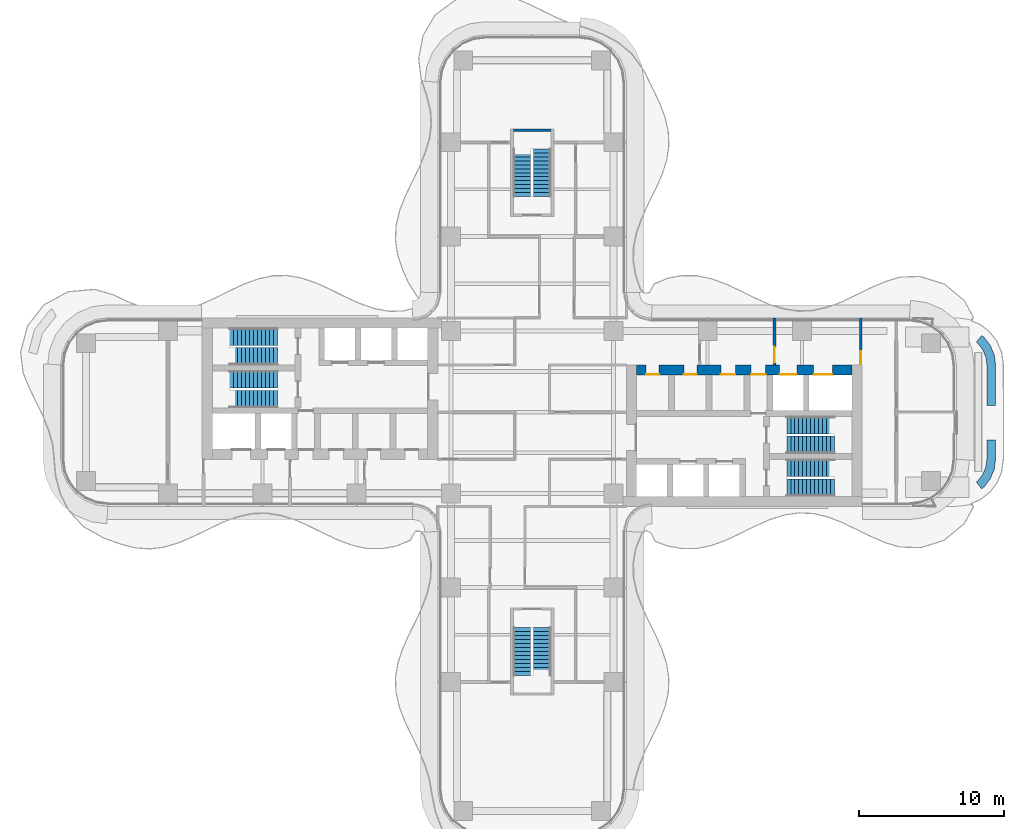
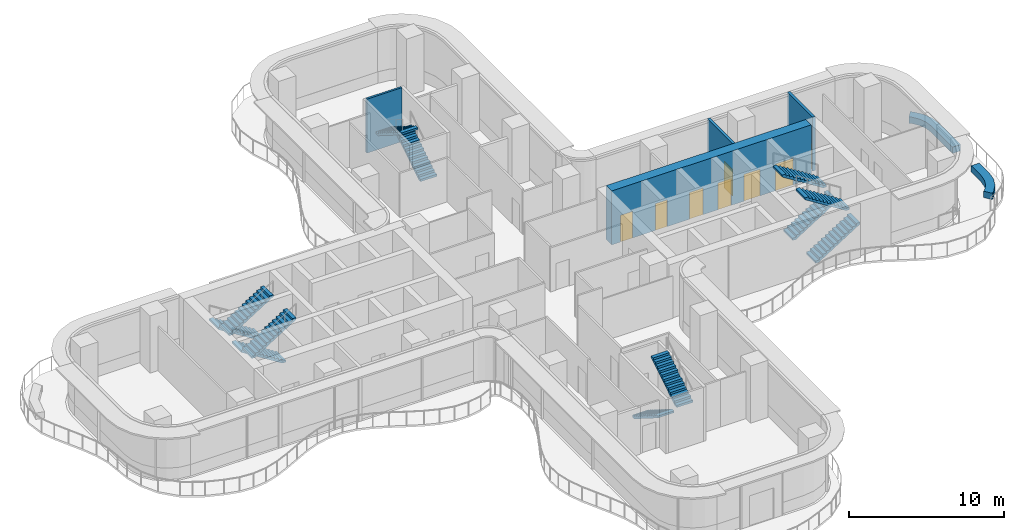
# One storey, part 19 of 21: 12 stair flights, 8 doors, 6 walls, 8 openings, 6 elements without a shape of their own.
"""IFC4 building model written with IfcOpenShell, lengths in metres."""

from ifc_helpers import new_model, si_unit, direction, frame, frame_2d, origin, place, context, subcontext, project, spatial, polyline, rectangle, outline, extrude, source, transform, mapped, material, layer, layer_set, type_object, element, fill, aggregate, save


model = new_model("IFC4")

# Units and contexts
model_context = context("Model", 3, precision=1e-05, world=origin(), true_north=direction((0.0, 1.0)))
body_context = subcontext(model_context, "Body", "Model", "MODEL_VIEW")
ifc_project = project(units=[si_unit("LENGTHUNIT", "METRE"), si_unit("AREAUNIT", "SQUARE_METRE"), si_unit("VOLUMEUNIT", "CUBIC_METRE"), si_unit("PLANEANGLEUNIT", "RADIAN"), si_unit("MASSUNIT", "GRAM", prefix="KILO")], contexts=[model_context])

# Site, building, storey
site_placement = place(None, origin())
site = spatial("IfcSite", under=ifc_project, at=site_placement, CompositionType="ELEMENT")
building_placement = place(site_placement, origin())
building = spatial("IfcBuilding", under=site, at=building_placement, Name="Trellis Farm Tower", CompositionType="ELEMENT")
storey_placement = place(building_placement, frame((0.0, 0.0, 97.5)))
storey = spatial("IfcBuildingStorey", under=building, at=storey_placement, Name="L20", CompositionType="ELEMENT", Elevation=97.5)

# Walls
ifc_material_1 = material(Name="Sandstone faced masonry planter", Category="masonry")
ifc_layer_1 = layer(ifc_material_1, 0.60009765625)
ifc_layer_set_1 = layer_set([ifc_layer_1], Name="PLANTER BED 600")
wall_type_1 = type_object("IfcWallType", Name="PLANTER BED 600", PredefinedType="USERDEFINED", material=ifc_layer_set_1)
placement = place(storey_placement, origin())
element("IfcWall", 1, at=placement, inside=storey, type_object=wall_type_1, Name="PLANTER bed", ObjectType="PLANTER", PredefinedType="USERDEFINED", context=body_context, shape_type="SweptSolid", body=[
    extrude(outline(polyline([(31.15576171875, 5.15576171875), (31.584228515625, 4.59765625), (31.853515625, 3.947509765625), (31.949951171875, 3.214111328125), (31.949951171875, 0.469970703125), (31.35009765625, 0.469970703125), (31.35009765625, 3.174560546875), (31.268798828125, 3.791015625), (31.06005859375, 4.294921875), (30.727783203125, 4.727783203125), (30.614990234375, 4.814697265625), (30.980224609375, 5.29052734375), (31.15576171875, 5.15576171875)])), origin(), (0.0, 0.0, 1.0), 0.5),
])
element("IfcWall", 2, at=placement, inside=storey, type_object=wall_type_1, Name="PLANTER bed", ObjectType="PLANTER", PredefinedType="USERDEFINED", context=body_context, shape_type="SweptSolid", body=[
    extrude(outline(polyline([(31.853515625, -3.947509765625), (31.584228515625, -4.59765625), (31.15576171875, -5.15576171875), (30.980224609375, -5.29052734375), (30.614990234375, -4.814697265625), (30.727783203125, -4.727783203125), (31.06005859375, -4.294921875), (31.268798828125, -3.791015625), (31.35009765625, -3.174560546875), (31.35009765625, -1.929931640625), (31.949951171875, -1.929931640625), (31.949951171875, -3.214111328125), (31.853515625, -3.947509765625)])), origin(), (0.0, 0.0, 1.0), 0.5),
])

# Wall, opening, door
ifc_material_2 = material(Name="Masonry blockwork", Category="masonry")
ifc_layer_2 = layer(ifc_material_2, 0.199951171875)
ifc_layer_set_2 = layer_set([ifc_layer_2], Name="FIRE LOBBY PARTITION 200 BLOCKWORK")
wall_type_2 = type_object("IfcWallType", Name="FIRE LOBBY PARTITION 200 BLOCKWORK", PredefinedType="PARTITIONING", material=ifc_layer_set_2)
shared_shape_1 = source(origin(), body_context, "Body", "SweptSolid", [
    extrude(rectangle(XDim=3.25, YDim=0.199951171875, at=frame_2d((1.625, 0.0))), origin(), (0.0, 0.0, 1.0), 4.25),
])
wall_3_placement = place(storey_placement, frame((16.699951171875, 3.25, 0.0), z_axis=(0.0, 0.0, 1.0), x_axis=(0.0, 1.0, 0.0)))
wall_3 = element("IfcWall", 3, at=wall_3_placement, inside=storey, type_object=wall_type_2, Name="Fire-fighting lobby partition", PredefinedType="PARTITIONING", context=body_context, shape_type="MappedRepresentation", body=[
    mapped(shared_shape_1, transform((0.0, 0.0, 0.0))),
])
shared_shape_2 = source(origin(), body_context, "Body", "SweptSolid", [
    extrude(rectangle(XDim=1.10009765625, YDim=2.10009765625, at=frame_2d((0.550048828125, 1.050048828125))), frame((0.0, 0.110107421875, 0.0), z_axis=(0.0, -1.0, 0.0), x_axis=(1.0, 0.0, 0.0)), (0.0, 0.0, 1.0), 0.22021484375),
])
opening_1_placement = place(wall_3_placement, frame((0.14990234375, 0.0, 0.0)))
opening_1 = element("IfcOpeningElement", 4, at=opening_1_placement, cuts=wall_3, Name="Opening DC7", PredefinedType="OPENING", context=body_context, shape_type="MappedRepresentation", body=[
    mapped(shared_shape_2, transform((0.0, 0.0, 0.0))),
])
ifc_material_3 = material(Name="Steel", Category="steel")
door_type_1 = type_object("IfcDoorType", Name="CORE FIRE DOOR 1100 X 2100", OperationType="NOTDEFINED", PredefinedType="DOOR", material=ifc_material_3)
shared_shape_3 = source(origin(), body_context, "Body", "SweptSolid", [
    extrude(rectangle(XDim=1.10009765625, YDim=2.10009765625, at=frame_2d((0.550048828125, 1.050048828125))), frame((0.0, 0.02490234375, 0.0), z_axis=(0.0, -1.0, 0.0), x_axis=(1.0, 0.0, 0.0)), (0.0, 0.0, 1.0), 0.050048828125),
])
door_1_placement = place(opening_1_placement, origin())
door_1 = element("IfcDoor", 5, at=door_1_placement, inside=storey, type_object=door_type_1, Name="Core door", OperationType="SINGLE_SWING_RIGHT", OverallHeight=2.10009765625, OverallWidth=1.10009765625, PredefinedType="DOOR", context=body_context, shape_type="MappedRepresentation", body=[
    mapped(shared_shape_3, transform((0.0, 0.0, 0.0))),
])
fill(opening_1, door_1)

wall_4_placement = place(storey_placement, frame((22.64990234375, 3.25, 0.0), z_axis=(0.0, 0.0, 1.0), x_axis=(0.0, 1.0, 0.0)))
wall_4 = element("IfcWall", 6, at=wall_4_placement, inside=storey, type_object=wall_type_2, Name="Fire-fighting lobby partition", PredefinedType="PARTITIONING", context=body_context, shape_type="MappedRepresentation", body=[
    mapped(shared_shape_1, transform((0.0, 0.0, 0.0))),
])
shared_shape_4 = source(origin(), body_context, "Body", "SweptSolid", [
    extrude(rectangle(XDim=0.89990234375, YDim=2.10009765625, at=frame_2d((0.449951171875, 1.050048828125))), frame((0.0, 0.110107421875, 0.0), z_axis=(0.0, -1.0, 0.0), x_axis=(1.0, 0.0, 0.0)), (0.0, 0.0, 1.0), 0.22021484375),
])
opening_2_placement = place(wall_4_placement, frame((0.050048828125, 0.0, 0.0)))
opening_2 = element("IfcOpeningElement", 7, at=opening_2_placement, cuts=wall_4, Name="Opening DC8", PredefinedType="OPENING", context=body_context, shape_type="MappedRepresentation", body=[
    mapped(shared_shape_4, transform((0.0, 0.0, 0.0))),
])
door_type_2 = type_object("IfcDoorType", Name="CORE FIRE DOOR 900 X 2100", OperationType="NOTDEFINED", PredefinedType="DOOR", material=ifc_material_3)
shared_shape_5 = source(origin(), body_context, "Body", "SweptSolid", [
    extrude(rectangle(XDim=0.89990234375, YDim=2.10009765625, at=frame_2d((0.449951171875, 1.050048828125))), frame((0.0, 0.02490234375, 0.0), z_axis=(0.0, -1.0, 0.0), x_axis=(1.0, 0.0, 0.0)), (0.0, 0.0, 1.0), 0.050048828125),
])
door_2_placement = place(opening_2_placement, origin())
door_2 = element("IfcDoor", 8, at=door_2_placement, inside=storey, type_object=door_type_2, Name="Core door", OperationType="SINGLE_SWING_RIGHT", OverallHeight=2.10009765625, OverallWidth=0.89990234375, PredefinedType="DOOR", context=body_context, shape_type="MappedRepresentation", body=[
    mapped(shared_shape_5, transform((0.0, 0.0, 0.0))),
])
fill(opening_2, door_2)

# Wall, openings, doors
ifc_material_4 = material(Name="Concrete C70/85", Category="concrete")
ifc_layer_3 = layer(ifc_material_4, 0.699951171875)
ifc_layer_set_3 = layer_set([ifc_layer_3], Name="CORE OUTER WALL 700 CONCRETE C70/85")
wall_type_3 = type_object("IfcWallType", Name="CORE OUTER WALL 700 CONCRETE C70/85", PredefinedType="SHEAR", material=ifc_layer_set_3)
shared_shape_6 = source(origin(), body_context, "Body", "SweptSolid", [
    extrude(rectangle(XDim=14.85009765625, YDim=0.699951171875, at=frame_2d((7.425048828125, 0.0))), origin(), (0.0, 0.0, 1.0), 4.25),
])
wall_5_placement = place(storey_placement, frame((7.199951171875, 2.89990234375, 0.0), z_axis=(0.0, 0.0, 1.0), x_axis=(1.0, 0.0, 0.0)))
wall_5 = element("IfcWall", 9, at=wall_5_placement, inside=storey, type_object=wall_type_3, Name="Core wall", PredefinedType="SHEAR", context=body_context, shape_type="MappedRepresentation", body=[
    mapped(shared_shape_6, transform((0.0, 0.0, 0.0))),
])
shared_shape_7 = source(origin(), body_context, "Body", "SweptSolid", [
    extrude(rectangle(XDim=1.300048828125, YDim=2.10009765625, at=frame_2d((0.64990234375, 1.050048828125))), frame((0.0, 0.360107421875, 0.0), z_axis=(0.0, -1.0, 0.0), x_axis=(1.0, 0.0, 0.0)), (0.0, 0.0, 1.0), 0.72021484375),
])
opening_3_placement = place(wall_5_placement, frame((12.199951171875, 0.0, 0.0)))
opening_3 = element("IfcOpeningElement", 10, at=opening_3_placement, cuts=wall_5, Name="Opening LD7", PredefinedType="OPENING", context=body_context, shape_type="MappedRepresentation", body=[
    mapped(shared_shape_7, transform((0.0, 0.0, 0.0))),
])
shared_shape_8 = source(origin(), body_context, "Body", "SweptSolid", [
    extrude(rectangle(XDim=1.199951171875, YDim=2.10009765625, at=frame_2d((0.60009765625, 1.050048828125))), frame((0.0, 0.360107421875, 0.0), z_axis=(0.0, -1.0, 0.0), x_axis=(1.0, 0.0, 0.0)), (0.0, 0.0, 1.0), 0.72021484375),
])
opening_4_placement = place(wall_5_placement, frame((9.85009765625, 0.0, 0.0)))
opening_4 = element("IfcOpeningElement", 11, at=opening_4_placement, cuts=wall_5, Name="Opening LD8", PredefinedType="OPENING", context=body_context, shape_type="MappedRepresentation", body=[
    mapped(shared_shape_8, transform((0.0, 0.0, 0.0))),
])
shared_shape_9 = source(origin(), body_context, "Body", "SweptSolid", [
    extrude(rectangle(XDim=1.0, YDim=2.10009765625, at=frame_2d((0.5, 1.050048828125))), frame((0.0, 0.360107421875, 0.0), z_axis=(0.0, -1.0, 0.0), x_axis=(1.0, 0.0, 0.0)), (0.0, 0.0, 1.0), 0.72021484375),
])
opening_5_placement = place(wall_5_placement, frame((7.89990234375, 0.0, 0.0)))
opening_5 = element("IfcOpeningElement", 12, at=opening_5_placement, cuts=wall_5, Name="Opening DC6", PredefinedType="OPENING", context=body_context, shape_type="MappedRepresentation", body=[
    mapped(shared_shape_9, transform((0.0, 0.0, 0.0))),
])
shared_shape_10 = source(origin(), body_context, "Body", "SweptSolid", [
    extrude(rectangle(XDim=0.89990234375, YDim=2.10009765625, at=frame_2d((0.449951171875, 1.050048828125))), frame((0.0, 0.360107421875, 0.0), z_axis=(0.0, -1.0, 0.0), x_axis=(1.0, 0.0, 0.0)), (0.0, 0.0, 1.0), 0.72021484375),
])
opening_6_placement = place(wall_5_placement, frame((0.64990234375, 0.0, 0.0)))
opening_6 = element("IfcOpeningElement", 13, at=opening_6_placement, cuts=wall_5, Name="Opening DC11", PredefinedType="OPENING", context=body_context, shape_type="MappedRepresentation", body=[
    mapped(shared_shape_10, transform((0.0, 0.0, 0.0))),
])
opening_7_placement = place(wall_5_placement, frame((3.25, 0.0, 0.0)))
opening_7 = element("IfcOpeningElement", 14, at=opening_7_placement, cuts=wall_5, Name="Opening DC24", PredefinedType="OPENING", context=body_context, shape_type="MappedRepresentation", body=[
    mapped(shared_shape_10, transform((0.0, 0.0, 0.0))),
])
opening_8_placement = place(wall_5_placement, frame((5.800048828125, 0.0, 0.0)))
opening_8 = element("IfcOpeningElement", 15, at=opening_8_placement, cuts=wall_5, Name="Opening DC37", PredefinedType="OPENING", context=body_context, shape_type="MappedRepresentation", body=[
    mapped(shared_shape_9, transform((0.0, 0.0, 0.0))),
])
door_type_3 = type_object("IfcDoorType", Name="CORE FIRE DOOR 1000 X 2100", OperationType="NOTDEFINED", PredefinedType="DOOR", material=ifc_material_3)
shared_shape_11 = source(origin(), body_context, "Body", "SweptSolid", [
    extrude(rectangle(XDim=1.0, YDim=2.10009765625, at=frame_2d((0.5, 1.050048828125))), frame((0.0, -0.27490234375, 0.0), z_axis=(0.0, -1.0, 0.0), x_axis=(1.0, 0.0, 0.0)), (0.0, 0.0, 1.0), 0.050048828125),
])
door_3_placement = place(opening_5_placement, origin())
door_3 = element("IfcDoor", 16, at=door_3_placement, inside=storey, type_object=door_type_3, Name="Core door", OperationType="SINGLE_SWING_LEFT", OverallHeight=2.10009765625, OverallWidth=1.0, PredefinedType="DOOR", context=body_context, shape_type="MappedRepresentation", body=[
    mapped(shared_shape_11, transform((0.0, 0.0, 0.0))),
])
fill(opening_5, door_3)
door_4_placement = place(opening_8_placement, origin())
door_4 = element("IfcDoor", 17, at=door_4_placement, inside=storey, type_object=door_type_3, Name="Core door", OperationType="SINGLE_SWING_LEFT", OverallHeight=2.10009765625, OverallWidth=1.0, PredefinedType="DOOR", context=body_context, shape_type="MappedRepresentation", body=[
    mapped(shared_shape_11, transform((0.0, 0.0, 0.0))),
])
fill(opening_8, door_4)
shared_shape_12 = source(origin(), body_context, "Body", "SweptSolid", [
    extrude(rectangle(XDim=0.89990234375, YDim=2.10009765625, at=frame_2d((0.449951171875, 1.050048828125))), frame((0.0, -0.27490234375, 0.0), z_axis=(0.0, -1.0, 0.0), x_axis=(1.0, 0.0, 0.0)), (0.0, 0.0, 1.0), 0.050048828125),
])
door_5_placement = place(opening_6_placement, origin())
door_5 = element("IfcDoor", 18, at=door_5_placement, inside=storey, type_object=door_type_2, Name="Core door", OperationType="SINGLE_SWING_LEFT", OverallHeight=2.10009765625, OverallWidth=0.89990234375, PredefinedType="DOOR", context=body_context, shape_type="MappedRepresentation", body=[
    mapped(shared_shape_12, transform((0.0, 0.0, 0.0))),
])
fill(opening_6, door_5)
door_6_placement = place(opening_7_placement, origin())
door_6 = element("IfcDoor", 19, at=door_6_placement, inside=storey, type_object=door_type_2, Name="Core door", OperationType="SINGLE_SWING_RIGHT", OverallHeight=2.10009765625, OverallWidth=0.89990234375, PredefinedType="DOOR", context=body_context, shape_type="MappedRepresentation", body=[
    mapped(shared_shape_12, transform((0.0, 0.0, 0.0))),
])
fill(opening_7, door_6)
ifc_material_5 = material(Name="Stainless steel", Category="steel")
door_type_4 = type_object("IfcDoorType", Name="LIFT LANDING DOOR 1300 X 2100", OperationType="DOUBLE_DOOR_SLIDING", PredefinedType="DOOR", material=ifc_material_5)
shared_shape_13 = source(origin(), body_context, "Body", "SweptSolid", [
    extrude(rectangle(XDim=1.300048828125, YDim=2.10009765625, at=frame_2d((0.64990234375, 1.050048828125))), frame((0.0, -0.27490234375, 0.0), z_axis=(0.0, -1.0, 0.0), x_axis=(1.0, 0.0, 0.0)), (0.0, 0.0, 1.0), 0.050048828125),
])
door_7_placement = place(opening_3_placement, origin())
door_7 = element("IfcDoor", 20, at=door_7_placement, inside=storey, type_object=door_type_4, Name="Lift landing door", OperationType="DOUBLE_DOOR_SLIDING", OverallHeight=2.10009765625, OverallWidth=1.300048828125, PredefinedType="DOOR", context=body_context, shape_type="MappedRepresentation", body=[
    mapped(shared_shape_13, transform((0.0, 0.0, 0.0))),
])
fill(opening_3, door_7)
door_type_5 = type_object("IfcDoorType", Name="LIFT LANDING DOOR 1200 X 2100", OperationType="DOUBLE_DOOR_SLIDING", PredefinedType="DOOR", material=ifc_material_5)
shared_shape_14 = source(origin(), body_context, "Body", "SweptSolid", [
    extrude(rectangle(XDim=1.199951171875, YDim=2.10009765625, at=frame_2d((0.60009765625, 1.050048828125))), frame((0.0, -0.27490234375, 0.0), z_axis=(0.0, -1.0, 0.0), x_axis=(1.0, 0.0, 0.0)), (0.0, 0.0, 1.0), 0.050048828125),
])
door_8_placement = place(opening_4_placement, origin())
door_8 = element("IfcDoor", 21, at=door_8_placement, inside=storey, type_object=door_type_5, Name="Lift landing door", OperationType="DOUBLE_DOOR_SLIDING", OverallHeight=2.10009765625, OverallWidth=1.199951171875, PredefinedType="DOOR", context=body_context, shape_type="MappedRepresentation", body=[
    mapped(shared_shape_14, transform((0.0, 0.0, 0.0))),
])
fill(opening_4, door_8)

# Wall
ifc_layer_4 = layer(ifc_material_4, 0.14990234375)
ifc_layer_set_4 = layer_set([ifc_layer_4], Name="CORE STAIR ENCLOSURE WALL 150 CONCRETE C70/85")
wall_type_4 = type_object("IfcWallType", Name="CORE STAIR ENCLOSURE WALL 150 CONCRETE C70/85", PredefinedType="SHEAR", material=ifc_layer_set_4)
shared_shape_15 = source(origin(), body_context, "Body", "SweptSolid", [
    extrude(rectangle(XDim=2.60009765625, YDim=0.14990234375, at=frame_2d((1.300048828125, 0.0))), origin(), (0.0, 0.0, 1.0), 4.25),
])
wall_6_placement = place(storey_placement, frame((-1.300048828125, 19.425048828125, 0.0), z_axis=(0.0, 0.0, 1.0), x_axis=(1.0, 0.0, 0.0)))
element("IfcWall", 22, at=wall_6_placement, inside=storey, type_object=wall_type_4, Name="Stair enclosure wall", PredefinedType="SHEAR", context=body_context, shape_type="MappedRepresentation", body=[
    mapped(shared_shape_15, transform((0.0, 0.0, 0.0))),
])

# Stair, stair flights
ifc_material_6 = material(Name="Concrete C50/60", Category="concrete")
stair_type = type_object("IfcStairType", Name="CORE EXIT STAIR 26 RISERS 173 MM", PredefinedType="HALF_TURN_STAIR", material=ifc_material_6)
stair_1 = element("IfcStair", 23, at=placement, inside=storey, type_object=stair_type, Name="Exit stair N", PredefinedType="HALF_TURN_STAIR")
stair_flight_type = type_object("IfcStairFlightType", Name="STAIR FLIGHT 13 RISERS 173 MM", PredefinedType="STRAIGHT", material=ifc_material_6)
shared_shape_16 = source(origin(), body_context, "Body", "SweptSolid", [
    extrude(outline(polyline([(0.0, 0.0), (0.0, 0.173095703125), (0.27490234375, 0.173095703125), (0.27490234375, 0.34619140625), (0.550048828125, 0.34619140625), (0.550048828125, 0.519287109375), (0.824951171875, 0.519287109375), (0.824951171875, 0.6923828125), (1.10009765625, 0.6923828125), (1.10009765625, 0.865478515625), (1.375, 0.865478515625), (1.375, 1.03857421875), (1.64990234375, 1.03857421875), (1.64990234375, 1.21142578125), (1.925048828125, 1.21142578125), (1.925048828125, 1.384521484375), (2.199951171875, 1.384521484375), (2.199951171875, 1.5576171875), (2.47509765625, 1.5576171875), (2.47509765625, 1.730712890625), (2.75, 1.730712890625), (2.75, 1.90380859375), (3.02490234375, 1.90380859375), (3.02490234375, 2.076904296875), (3.300048828125, 2.076904296875), (3.300048828125, 2.25), (3.300048828125, 1.92333984375), (0.243896484375, 0.0), (0.0, 0.0)])), frame((0.0, 0.60009765625, 0.0), z_axis=(0.0, -1.0, 0.0), x_axis=(1.0, 0.0, 0.0)), (0.0, 0.0, 1.0), 1.199951171875),
])
stair_flight_1_placement = place(storey_placement, frame((0.699951171875, 14.85009765625, 0.0), z_axis=(0.0, 0.0, 1.0), x_axis=(0.0, 1.0, 0.0)))
stair_flight_1 = element("IfcStairFlight", 24, at=stair_flight_1_placement, type_object=stair_flight_type, Name="STN flight 1", NumberOfRisers=13, NumberOfTreads=12, PredefinedType="STRAIGHT", RiserHeight=0.173076923, TreadLength=0.275, context=body_context, shape_type="MappedRepresentation", body=[
    mapped(shared_shape_16, transform((0.0, 0.0, 0.0))),
])
stair_flight_2_placement = place(storey_placement, frame((-0.699951171875, 18.14990234375, 2.25), z_axis=(0.0, 0.0, 1.0), x_axis=(0.0, -1.0, 0.0)))
stair_flight_2 = element("IfcStairFlight", 25, at=stair_flight_2_placement, type_object=stair_flight_type, Name="STN flight 2", NumberOfRisers=13, NumberOfTreads=12, PredefinedType="STRAIGHT", RiserHeight=0.173076923, TreadLength=0.275, context=body_context, shape_type="MappedRepresentation", body=[
    mapped(shared_shape_16, transform((0.0, 0.0, 0.0))),
])
aggregate(stair_1, [stair_flight_1, stair_flight_2])

stair_2 = element("IfcStair", 26, at=placement, inside=storey, type_object=stair_type, Name="Exit stair S", PredefinedType="HALF_TURN_STAIR")
stair_flight_3_placement = place(storey_placement, frame((-0.699951171875, -14.85009765625, 0.0), z_axis=(0.0, 0.0, 1.0), x_axis=(0.0, -1.0, 0.0)))
stair_flight_3 = element("IfcStairFlight", 27, at=stair_flight_3_placement, type_object=stair_flight_type, Name="STS flight 1", NumberOfRisers=13, NumberOfTreads=12, PredefinedType="STRAIGHT", RiserHeight=0.173076923, TreadLength=0.275, context=body_context, shape_type="MappedRepresentation", body=[
    mapped(shared_shape_16, transform((0.0, 0.0, 0.0))),
])
stair_flight_4_placement = place(storey_placement, frame((0.699951171875, -18.14990234375, 2.25), z_axis=(0.0, 0.0, 1.0), x_axis=(0.0, 1.0, 0.0)))
stair_flight_4 = element("IfcStairFlight", 28, at=stair_flight_4_placement, type_object=stair_flight_type, Name="STS flight 2", NumberOfRisers=13, NumberOfTreads=12, PredefinedType="STRAIGHT", RiserHeight=0.173076923, TreadLength=0.275, context=body_context, shape_type="MappedRepresentation", body=[
    mapped(shared_shape_16, transform((0.0, 0.0, 0.0))),
])
aggregate(stair_2, [stair_flight_3, stair_flight_4])

stair_3 = element("IfcStair", 29, at=placement, inside=storey, type_object=stair_type, Name="Exit stair E1", PredefinedType="HALF_TURN_STAIR")
stair_flight_5_placement = place(storey_placement, frame((17.550048828125, -5.199951171875, 0.0), z_axis=(0.0, 0.0, 1.0), x_axis=(1.0, 0.0, 0.0)))
stair_flight_5 = element("IfcStairFlight", 30, at=stair_flight_5_placement, type_object=stair_flight_type, Name="STE1 flight 1", NumberOfRisers=13, NumberOfTreads=12, PredefinedType="STRAIGHT", RiserHeight=0.173076923, TreadLength=0.275, context=body_context, shape_type="MappedRepresentation", body=[
    mapped(shared_shape_16, transform((0.0, 0.0, 0.0))),
])
stair_flight_6_placement = place(storey_placement, frame((20.85009765625, -3.85009765625, 2.25), z_axis=(0.0, 0.0, 1.0), x_axis=(-1.0, 0.0, 0.0)))
stair_flight_6 = element("IfcStairFlight", 31, at=stair_flight_6_placement, type_object=stair_flight_type, Name="STE1 flight 2", NumberOfRisers=13, NumberOfTreads=12, PredefinedType="STRAIGHT", RiserHeight=0.173076923, TreadLength=0.275, context=body_context, shape_type="MappedRepresentation", body=[
    mapped(shared_shape_16, transform((0.0, 0.0, 0.0))),
])
aggregate(stair_3, [stair_flight_5, stair_flight_6])

stair_4 = element("IfcStair", 32, at=placement, inside=storey, type_object=stair_type, Name="Exit stair E2", PredefinedType="HALF_TURN_STAIR")
stair_flight_7_placement = place(storey_placement, frame((17.550048828125, -2.25, 0.0), z_axis=(0.0, 0.0, 1.0), x_axis=(1.0, 0.0, 0.0)))
stair_flight_7 = element("IfcStairFlight", 33, at=stair_flight_7_placement, type_object=stair_flight_type, Name="STE2 flight 1", NumberOfRisers=13, NumberOfTreads=12, PredefinedType="STRAIGHT", RiserHeight=0.173076923, TreadLength=0.275, context=body_context, shape_type="MappedRepresentation", body=[
    mapped(shared_shape_16, transform((0.0, 0.0, 0.0))),
])
stair_flight_8_placement = place(storey_placement, frame((20.85009765625, -0.89990234375, 2.25), z_axis=(0.0, 0.0, 1.0), x_axis=(-1.0, 0.0, 0.0)))
stair_flight_8 = element("IfcStairFlight", 34, at=stair_flight_8_placement, type_object=stair_flight_type, Name="STE2 flight 2", NumberOfRisers=13, NumberOfTreads=12, PredefinedType="STRAIGHT", RiserHeight=0.173076923, TreadLength=0.275, context=body_context, shape_type="MappedRepresentation", body=[
    mapped(shared_shape_16, transform((0.0, 0.0, 0.0))),
])
aggregate(stair_4, [stair_flight_7, stair_flight_8])

stair_5 = element("IfcStair", 35, at=placement, inside=storey, type_object=stair_type, Name="Exit stair W1", PredefinedType="HALF_TURN_STAIR")
stair_flight_9_placement = place(storey_placement, frame((-17.550048828125, 5.199951171875, 0.0), z_axis=(0.0, 0.0, 1.0), x_axis=(-1.0, 0.0, 0.0)))
stair_flight_9 = element("IfcStairFlight", 36, at=stair_flight_9_placement, type_object=stair_flight_type, Name="STW1 flight 1", NumberOfRisers=13, NumberOfTreads=12, PredefinedType="STRAIGHT", RiserHeight=0.173076923, TreadLength=0.275, context=body_context, shape_type="MappedRepresentation", body=[
    mapped(shared_shape_16, transform((0.0, 0.0, 0.0))),
])
stair_flight_10_placement = place(storey_placement, frame((-20.85009765625, 3.85009765625, 2.25), z_axis=(0.0, 0.0, 1.0), x_axis=(1.0, 0.0, 0.0)))
stair_flight_10 = element("IfcStairFlight", 37, at=stair_flight_10_placement, type_object=stair_flight_type, Name="STW1 flight 2", NumberOfRisers=13, NumberOfTreads=12, PredefinedType="STRAIGHT", RiserHeight=0.173076923, TreadLength=0.275, context=body_context, shape_type="MappedRepresentation", body=[
    mapped(shared_shape_16, transform((0.0, 0.0, 0.0))),
])
aggregate(stair_5, [stair_flight_9, stair_flight_10])

stair_6 = element("IfcStair", 38, at=placement, inside=storey, type_object=stair_type, Name="Exit stair W2", PredefinedType="HALF_TURN_STAIR")
stair_flight_11_placement = place(storey_placement, frame((-17.550048828125, 2.25, 0.0), z_axis=(0.0, 0.0, 1.0), x_axis=(-1.0, 0.0, 0.0)))
stair_flight_11 = element("IfcStairFlight", 39, at=stair_flight_11_placement, type_object=stair_flight_type, Name="STW2 flight 1", NumberOfRisers=13, NumberOfTreads=12, PredefinedType="STRAIGHT", RiserHeight=0.173076923, TreadLength=0.275, context=body_context, shape_type="MappedRepresentation", body=[
    mapped(shared_shape_16, transform((0.0, 0.0, 0.0))),
])
stair_flight_12_placement = place(storey_placement, frame((-20.85009765625, 0.89990234375, 2.25), z_axis=(0.0, 0.0, 1.0), x_axis=(1.0, 0.0, 0.0)))
stair_flight_12 = element("IfcStairFlight", 40, at=stair_flight_12_placement, type_object=stair_flight_type, Name="STW2 flight 2", NumberOfRisers=13, NumberOfTreads=12, PredefinedType="STRAIGHT", RiserHeight=0.173076923, TreadLength=0.275, context=body_context, shape_type="MappedRepresentation", body=[
    mapped(shared_shape_16, transform((0.0, 0.0, 0.0))),
])
aggregate(stair_6, [stair_flight_11, stair_flight_12])

save(model, "model.ifc")
